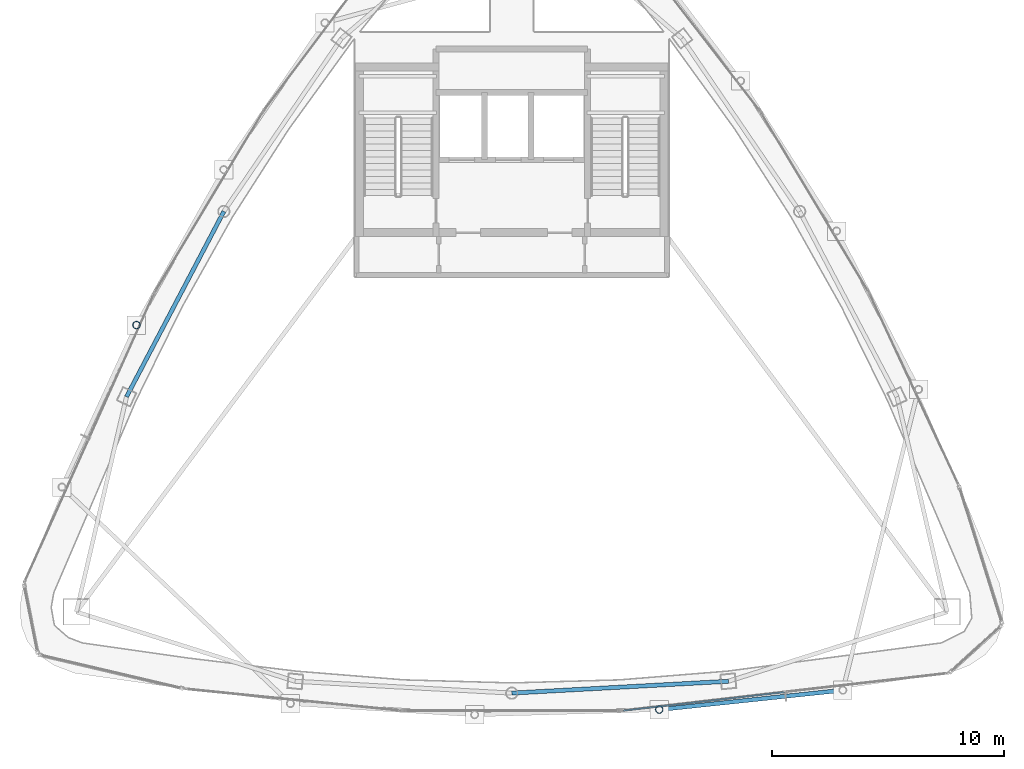
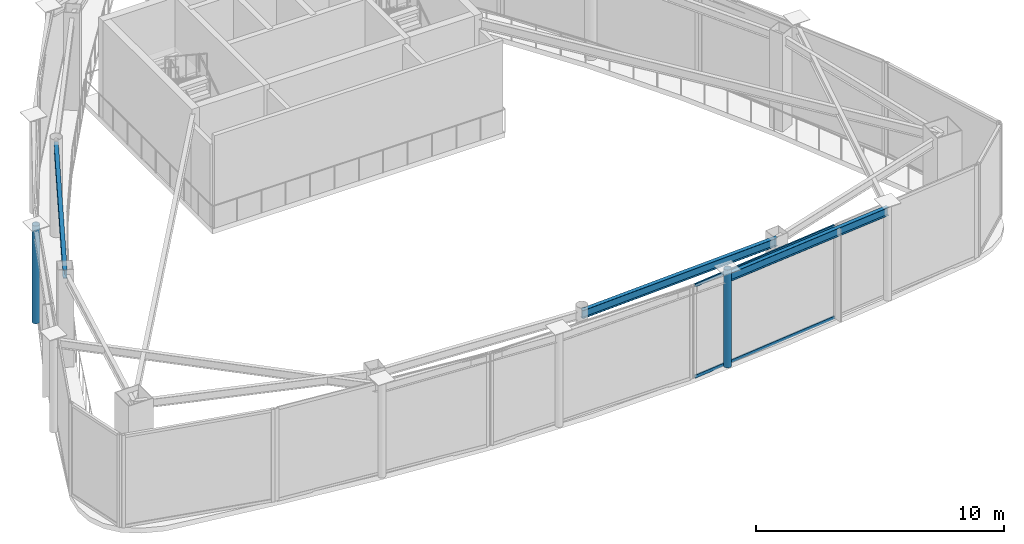
# One storey, part 7 of 19: 4 members, 3 beams, 1 element without a shape of its own.
"""IFC4 building model written with IfcOpenShell, lengths in metres."""

from ifc_helpers import new_model, si_unit, direction, frame, origin, origin_2d, place, context, subcontext, project, spatial, hollow_rectangle, hollow_circle, i_section, extrude, material, layer, layer_set, material_profile, profile_set, type_object, element, aggregate, save


model = new_model("IFC4")

# Units and contexts
model_context = context("Model", 3, precision=1e-05, world=origin(), true_north=direction((0.0, 1.0)))
body_context = subcontext(model_context, "Body", "Model", "MODEL_VIEW")
ifc_project = project(units=[si_unit("LENGTHUNIT", "METRE"), si_unit("AREAUNIT", "SQUARE_METRE"), si_unit("VOLUMEUNIT", "CUBIC_METRE"), si_unit("PLANEANGLEUNIT", "RADIAN"), si_unit("MASSUNIT", "GRAM", prefix="KILO")], contexts=[model_context])

# Site, building, storey
site_placement = place(None, origin())
site = spatial("IfcSite", under=ifc_project, at=site_placement, CompositionType="ELEMENT")
building_placement = place(site_placement, origin())
building = spatial("IfcBuilding", under=site, at=building_placement, Name="Orvanel Arch Residences", CompositionType="ELEMENT")
storey_placement = place(building_placement, frame((0.0, 0.0, 290.89990234375)))
storey = spatial("IfcBuildingStorey", under=building, at=storey_placement, Name="L82", CompositionType="ELEMENT", Elevation=290.89990234375)

# Beams
ifc_material_1 = material(Name="Structural steel AS/NZS 3679.1 Grade 300 (300 MPa)", Category="steel")
ifc_material_profile_1 = material_profile(ifc_material_1, i_section(OverallWidth=0.177978515625, OverallDepth=0.406005859375, WebThickness=0.0078125, FlangeThickness=0.0126953125, at=origin_2d()), Name="410UB59.7")
ifc_profile_set_1 = profile_set([ifc_material_profile_1], Name="Structural steel AS/NZS 3679.1 Grade 300 (300 MPa)")
beam_type_1 = type_object("IfcBeamType", Name="OB-410UB", PredefinedType="SPANDREL", material=ifc_profile_set_1)
beam_1_placement = place(storey_placement, frame((33.0, 6.843994140625, 4.34716796875), z_axis=(0.998510315598, 0.054563262768, 0.0), x_axis=(-0.054563262768, 0.998510315598, 0.0)))
element("IfcBeam", 1, at=beam_1_placement, inside=storey, type_object=beam_type_1, Name="L82 Perimeter Spandrel Beam 04", PredefinedType="SPANDREL", context=body_context, shape_type="SweptSolid", body=[
    extrude(i_section(OverallWidth=0.177978515625, OverallDepth=0.406005859375, WebThickness=0.0078125, FlangeThickness=0.0126953125, at=origin_2d()), origin(), (0.0, 0.0, 1.0), 9.364990234375),
])
beam_2_placement = place(storey_placement, frame((20.569091796875, 27.64111328125, 4.34716796875), z_axis=(-0.465064762793, -0.885276660942, 0.0), x_axis=(0.885276660942, -0.465064762793, 0.0)))
element("IfcBeam", 2, at=beam_2_placement, inside=storey, type_object=beam_type_1, Name="L82 Perimeter Spandrel Beam 12", PredefinedType="SPANDREL", context=body_context, shape_type="SweptSolid", body=[
    extrude(i_section(OverallWidth=0.177978515625, OverallDepth=0.406005859375, WebThickness=0.0078125, FlangeThickness=0.0126953125, at=origin_2d()), origin(), (0.0, 0.0, 1.0), 9.03564453125),
])
ifc_material_profile_2 = material_profile(ifc_material_1, i_section(OverallWidth=0.177978515625, OverallDepth=0.406005859375, WebThickness=0.0078125, FlangeThickness=0.0126953125, at=origin_2d()), Name="410UB59.7")
ifc_profile_set_2 = profile_set([ifc_material_profile_2], Name="Structural steel AS/NZS 3679.1 Grade 300 (300 MPa)")
beam_type_2 = type_object("IfcBeamType", Name="OB-410UB-EXT", PredefinedType="SPANDREL", material=ifc_profile_set_2)
beam_3_placement = place(storey_placement, frame((39.366943359375, 6.131103515625, 4.34716796875), z_axis=(0.994445876363, 0.1052492232, 0.0), x_axis=(-0.1052492232, 0.994445876363, 0.0)))
element("IfcBeam", 3, at=beam_3_placement, inside=storey, type_object=beam_type_2, Name="L82 Outer Perimeter Floor Ring Beam 07", PredefinedType="SPANDREL", context=body_context, shape_type="SweptSolid", body=[
    extrude(i_section(OverallWidth=0.177978515625, OverallDepth=0.406005859375, WebThickness=0.0078125, FlangeThickness=0.0126953125, at=origin_2d()), origin(), (0.0, 0.0, 1.0), 7.97021484375),
])

# Members
ifc_material_2 = material(Name="Structural steel AS/NZS 1163 C350L0 (Grade 350)", Category="steel")
ifc_material_profile_3 = material_profile(ifc_material_2, hollow_circle(Radius=0.162109375, WallThickness=0.0126953125, at=origin_2d()), Name="CHS324x12.7")
ifc_profile_set_3 = profile_set([ifc_material_profile_3], Name="Structural steel AS/NZS 1163 C350L0 (Grade 350)")
member_type_1 = type_object("IfcMemberType", Name="ST-324CHS-EXT", PredefinedType="STRUT", material=ifc_profile_set_3)
for number, where, z_axis, x_axis, name in (
    (4, (16.794921875, 22.73388671875, 0.0), (0.0, 0.0, 1.0), (1.0, 0.0, 0.0), "L82 Outer Perimeter Frame Post 03"),
    (5, (39.366943359375, 6.131103515625, 0.0), (0.0, 0.0, 1.0), (1.0, 0.0, 0.0), "L82 Outer Perimeter Frame Post 07"),
):
    element("IfcMember", number, at=place(storey_placement, frame(where, z_axis=z_axis, x_axis=x_axis)), inside=storey, type_object=member_type_1, Name=name, PredefinedType="STRUT", context=body_context, shape_type="SweptSolid", body=[
        extrude(hollow_circle(Radius=0.162109375, WallThickness=0.0126953125, at=origin_2d()), origin(), (0.0, 0.0, 1.0), 4.800048828125),
    ])

# Curtain wall, members
ifc_material_3 = material(Name="Bronze-anodised aluminium AA6063-T6", Category="aluminium")
ifc_layer = layer(ifc_material_3, 0.2099609375)
ifc_layer_set = layer_set([ifc_layer], Name="Bronze-anodised aluminium AA6063-T6")
curtain_wall_type = type_object("IfcCurtainWallType", Name="CW7-TOP-SYS", PredefinedType="NOTDEFINED", material=ifc_layer_set)
curtain_wall_placement = place(storey_placement, origin())
curtain_wall = element("IfcCurtainWall", 6, at=curtain_wall_placement, inside=storey, type_object=curtain_wall_type, Name="L82 CW7-TOP-SYS Unitised Curtain Wall", PredefinedType="NOTDEFINED")
ifc_material_profile_4 = material_profile(ifc_material_3, hollow_rectangle(XDim=0.06494140625, YDim=0.14990234375, WallThickness=0.00390625, at=origin_2d()), Name="ALU150x65x4")
ifc_profile_set_4 = profile_set([ifc_material_profile_4], Name="Bronze-anodised aluminium AA6063-T6")
member_type_2 = type_object("IfcMemberType", Name="TRN-150x65", PredefinedType="USERDEFINED", material=ifc_profile_set_4)
member_1_placement = place(storey_placement, frame((37.8154296875, 6.088623046875, 0.03271484375), z_axis=(0.993453799179, 0.114234622144, 0.0), x_axis=(-0.114234622144, 0.993453799179, 0.0)))
member_1 = element("IfcMember", 7, at=member_1_placement, type_object=member_type_2, Name="CW-S7 transom 1.1", ObjectType="TRANSOM", PredefinedType="USERDEFINED", context=body_context, shape_type="SweptSolid", body=[
    extrude(hollow_rectangle(XDim=0.06494140625, YDim=0.14990234375, WallThickness=0.00390625, at=origin_2d()), origin(), (0.0, 0.0, 1.0), 6.9951171875),
])
member_2_placement = place(storey_placement, frame((37.8154296875, 6.088623046875, 4.517578125), z_axis=(0.993453799179, 0.114234622144, 0.0), x_axis=(-0.114234622144, 0.993453799179, 0.0)))
member_2 = element("IfcMember", 8, at=member_2_placement, type_object=member_type_2, Name="CW-S7 transom 1.2", ObjectType="TRANSOM", PredefinedType="USERDEFINED", context=body_context, shape_type="SweptSolid", body=[
    extrude(hollow_rectangle(XDim=0.06494140625, YDim=0.14990234375, WallThickness=0.00390625, at=origin_2d()), origin(), (0.0, 0.0, 1.0), 6.9951171875),
])
aggregate(curtain_wall, [member_1, member_2])

save(model, "model.ifc")
